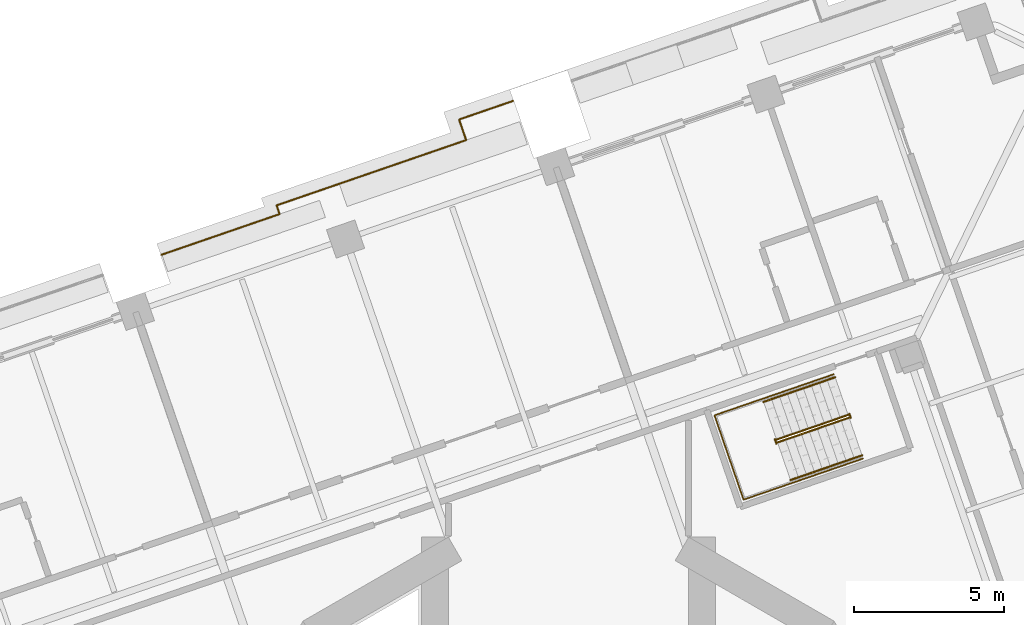
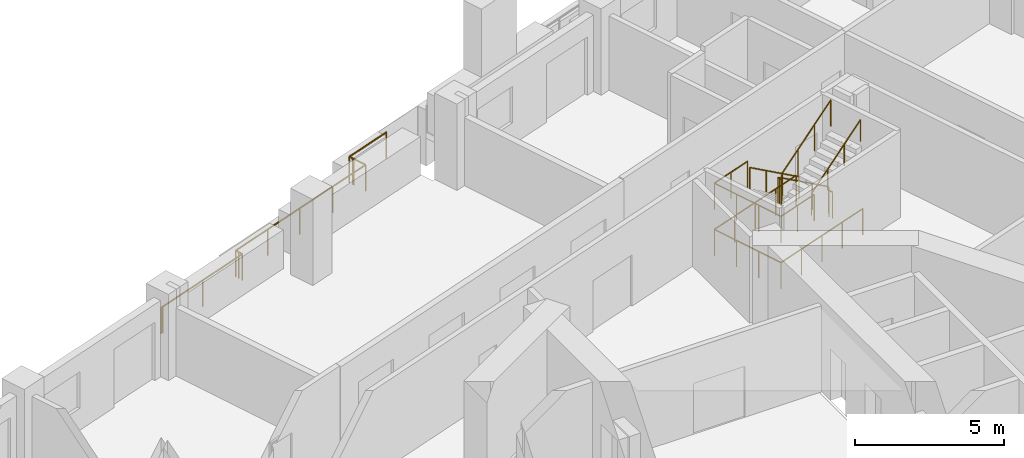
# One storey, part 16 of 18: 8 railings.
"""IFC4 building model written with IfcOpenShell, lengths in metres."""

from ifc_helpers import new_model, si_unit, direction, frame, origin, origin_2d, place, context, subcontext, project, spatial, circle, extrude, material, type_object, element, save


model = new_model("IFC4")

# Units and contexts
model_context = context("Model", 3, precision=1e-05, world=origin(), true_north=direction((0.0, 1.0)))
body_context = subcontext(model_context, "Body", "Model", "MODEL_VIEW")
ifc_project = project(units=[si_unit("LENGTHUNIT", "METRE"), si_unit("AREAUNIT", "SQUARE_METRE"), si_unit("VOLUMEUNIT", "CUBIC_METRE"), si_unit("PLANEANGLEUNIT", "RADIAN"), si_unit("MASSUNIT", "GRAM", prefix="KILO")], contexts=[model_context])

# Site, building, storey
site_placement = place(None, origin())
site = spatial("IfcSite", under=ifc_project, at=site_placement, CompositionType="ELEMENT")
building_placement = place(site_placement, origin())
building = spatial("IfcBuilding", under=site, at=building_placement, Name="Cantera Rosa Tower", CompositionType="ELEMENT")
storey_placement = place(building_placement, frame((0.0, 0.0, 134.5)))
storey = spatial("IfcBuildingStorey", under=building, at=storey_placement, Name="L28", CompositionType="ELEMENT", Elevation=134.5)

# Railings
ifc_material_1 = material(Name="Stainless steel and laminated glass", Category="steel")
railing_type_1 = type_object("IfcRailingType", Name="GUARD 1100", PredefinedType="BALUSTRADE", material=ifc_material_1)
railing_1_placement = place(storey_placement, frame((-13.55615234375, 21.032470703125, 0.0)))
element("IfcRailing", 1, at=railing_1_placement, inside=storey, type_object=railing_type_1, Name="GUARD L28-7", PredefinedType="BALUSTRADE", context=body_context, shape_type="SweptSolid", body=[
    extrude(circle(Radius=0.030029296875, at=origin_2d()), frame((0.0, 0.0, 1.070068359375), z_axis=(0.946220044844, 0.323523765333, 0.0), x_axis=(-0.323523765333, 0.946220044844, 0.0)), (0.0, 0.0, 1.0), 0.070068359375),
    extrude(circle(Radius=0.030029296875, at=origin_2d()), frame((0.06640625, 0.022705078125, 1.070068359375), z_axis=(0.945508665109, 0.325596935188, 0.0), x_axis=(-0.325596935188, 0.945508665109, 0.0)), (0.0, 0.0, 1.0), 4.089599609375),
    extrude(circle(Radius=0.030029296875, at=origin_2d()), frame((3.93310546875, 1.354248046875, 1.070068359375), z_axis=(0.923076923077, 0.384615384615, 0.0), x_axis=(-0.384615384615, 0.923076923077, 0.0)), (0.0, 0.0, 1.0), 0.003173828125),
    extrude(circle(Radius=0.030029296875, at=origin_2d()), frame((3.93603515625, 1.35546875, 1.070068359375), z_axis=(-0.274721127897, 0.961523947641, 0.0), x_axis=(-0.961523947641, -0.274721127897, 0.0)), (0.0, 0.0, 1.0), 0.003662109375),
    extrude(circle(Radius=0.030029296875, at=origin_2d()), frame((3.93505859375, 1.35888671875, 1.070068359375), z_axis=(-0.325302588557, 0.94560997556, 0.0), x_axis=(-0.94560997556, -0.325302588557, 0.0)), (0.0, 0.0, 1.0), 0.153076171875),
    extrude(circle(Radius=0.030029296875, at=origin_2d()), frame((3.88525390625, 1.503662109375, 1.070068359375), z_axis=(0.0, 1.0, 0.0), x_axis=(-1.0, 0.0, 0.0)), (0.0, 0.0, 1.0), 0.00048828125),
    extrude(circle(Radius=0.030029296875, at=origin_2d()), frame((3.88525390625, 1.504150390625, 1.070068359375), z_axis=(-0.326493735901, 0.945199365434, 0.0), x_axis=(-0.945199365434, -0.326493735901, 0.0)), (0.0, 0.0, 1.0), 0.149658203125),
    extrude(circle(Radius=0.030029296875, at=origin_2d()), frame((3.83642578125, 1.6455078125, 1.070068359375), z_axis=(0.945504782591, 0.325608209505, 0.0), x_axis=(-0.325608209505, 0.945504782591, 0.0)), (0.0, 0.0, 1.0), 3.30517578125),
    extrude(circle(Radius=0.030029296875, at=origin_2d()), frame((6.96142578125, 2.7216796875, 1.070068359375), z_axis=(0.945518555382, 0.325568213171, 0.0), x_axis=(-0.325568213171, 0.945518555382, 0.0)), (0.0, 0.0, 1.0), 3.3662109375),
    extrude(circle(Radius=0.030029296875, at=origin_2d()), frame((10.144287109375, 3.817626953125, 1.070068359375), z_axis=(0.933345606203, 0.358979079309, 0.0), x_axis=(-0.358979079309, 0.933345606203, 0.0)), (0.0, 0.0, 1.0), 0.00341796875),
    extrude(circle(Radius=0.030029296875, at=origin_2d()), frame((10.1474609375, 3.81884765625, 1.070068359375), z_axis=(-0.287347885566, 0.957826285221, 0.0), x_axis=(-0.957826285221, -0.287347885566, 0.0)), (0.0, 0.0, 1.0), 0.00244140625),
    extrude(circle(Radius=0.030029296875, at=origin_2d()), frame((10.146728515625, 3.8212890625, 1.070068359375), z_axis=(-0.325210728777, 0.945641571574, 0.0), x_axis=(-0.945641571574, -0.325210728777, 0.0)), (0.0, 0.0, 1.0), 0.52099609375),
    extrude(circle(Radius=0.030029296875, at=origin_2d()), frame((9.977294921875, 4.31396484375, 1.070068359375), z_axis=(-0.32907550163, 0.944303613372, 0.0), x_axis=(-0.944303613372, -0.32907550163, 0.0)), (0.0, 0.0, 1.0), 0.05126953125),
    extrude(circle(Radius=0.030029296875, at=origin_2d()), frame((9.96044921875, 4.3623046875, 1.070068359375), z_axis=(0.0, 1.0, 0.0), x_axis=(-1.0, 0.0, 0.0)), (0.0, 0.0, 1.0), 0.000244140625),
    extrude(circle(Radius=0.030029296875, at=origin_2d()), frame((9.96044921875, 4.362548828125, 1.070068359375), z_axis=(-0.325990683319, 0.945372981626, 0.0), x_axis=(-0.945372981626, -0.325990683319, 0.0)), (0.0, 0.0, 1.0), 0.14990234375),
    extrude(circle(Radius=0.030029296875, at=origin_2d()), frame((9.91162109375, 4.504150390625, 1.070068359375), z_axis=(0.945491592985, 0.325646507114, 0.0), x_axis=(-0.325646507114, 0.945491592985, 0.0)), (0.0, 0.0, 1.0), 1.902099609375),
    extrude(circle(Radius=0.02490234375, at=origin_2d()), origin(), (0.0, 0.0, 1.0), 1.0400390625),
    extrude(circle(Radius=0.02490234375, at=origin_2d()), frame((0.06640625, 0.022705078125, 0.0)), (0.0, 0.0, 1.0), 1.0400390625),
    extrude(circle(Radius=0.02490234375, at=origin_2d()), frame((1.999755859375, 0.6884765625, 0.0)), (0.0, 0.0, 1.0), 1.0400390625),
    extrude(circle(Radius=0.02490234375, at=origin_2d()), frame((3.93310546875, 1.354248046875, 0.0)), (0.0, 0.0, 1.0), 1.0400390625),
    extrude(circle(Radius=0.02490234375, at=origin_2d()), frame((3.93603515625, 1.35546875, 0.0)), (0.0, 0.0, 1.0), 1.0400390625),
    extrude(circle(Radius=0.02490234375, at=origin_2d()), frame((3.93505859375, 1.35888671875, 0.0)), (0.0, 0.0, 1.0), 1.0400390625),
    extrude(circle(Radius=0.02490234375, at=origin_2d()), frame((3.88525390625, 1.503662109375, 0.0)), (0.0, 0.0, 1.0), 1.0400390625),
    extrude(circle(Radius=0.02490234375, at=origin_2d()), frame((3.88525390625, 1.504150390625, 0.0)), (0.0, 0.0, 1.0), 1.0400390625),
    extrude(circle(Radius=0.02490234375, at=origin_2d()), frame((3.83642578125, 1.6455078125, 0.0)), (0.0, 0.0, 1.0), 1.0400390625),
    extrude(circle(Radius=0.02490234375, at=origin_2d()), frame((5.39892578125, 2.18359375, 0.0)), (0.0, 0.0, 1.0), 1.0400390625),
    extrude(circle(Radius=0.02490234375, at=origin_2d()), frame((6.96142578125, 2.7216796875, 0.0)), (0.0, 0.0, 1.0), 1.0400390625),
    extrude(circle(Radius=0.02490234375, at=origin_2d()), frame((8.552734375, 3.26953125, 0.0)), (0.0, 0.0, 1.0), 1.0400390625),
    extrude(circle(Radius=0.02490234375, at=origin_2d()), frame((10.144287109375, 3.817626953125, 0.0)), (0.0, 0.0, 1.0), 1.0400390625),
    extrude(circle(Radius=0.02490234375, at=origin_2d()), frame((10.1474609375, 3.81884765625, 0.0)), (0.0, 0.0, 1.0), 1.0400390625),
    extrude(circle(Radius=0.02490234375, at=origin_2d()), frame((10.146728515625, 3.8212890625, 0.0)), (0.0, 0.0, 1.0), 1.0400390625),
    extrude(circle(Radius=0.02490234375, at=origin_2d()), frame((9.977294921875, 4.31396484375, 0.0)), (0.0, 0.0, 1.0), 1.0400390625),
    extrude(circle(Radius=0.02490234375, at=origin_2d()), frame((9.96044921875, 4.3623046875, 0.0)), (0.0, 0.0, 1.0), 1.0400390625),
    extrude(circle(Radius=0.02490234375, at=origin_2d()), frame((9.96044921875, 4.362548828125, 0.0)), (0.0, 0.0, 1.0), 1.0400390625),
    extrude(circle(Radius=0.02490234375, at=origin_2d()), frame((9.91162109375, 4.504150390625, 0.0)), (0.0, 0.0, 1.0), 1.0400390625),
    extrude(circle(Radius=0.02490234375, at=origin_2d()), frame((11.7099609375, 5.12353515625, 0.0)), (0.0, 0.0, 1.0), 1.0400390625),
])
ifc_material_2 = material(Name="Steel S355J2 (EN 10025-2)", Category="steel")
railing_type_2 = type_object("IfcRailingType", Name="STAIR GUARD 1100", PredefinedType="GUARDRAIL", material=ifc_material_2)
railing_2_placement = place(storey_placement, frame((9.307861328125, 15.7021484375, 0.18994140625)))
element("IfcRailing", 2, at=railing_2_placement, inside=storey, type_object=railing_type_2, Name="L28 ST-21 stair guard 1", PredefinedType="GUARDRAIL", context=body_context, shape_type="SweptSolid", body=[
    extrude(circle(Radius=0.02392578125, at=origin_2d()), frame((0.0, 0.0, 1.076171875), z_axis=(-0.782404165978, -0.269432418223, 0.561471186323), x_axis=(0.325599548996, -0.94550776501, 0.0)), (0.0, 0.0, 1.0), 3.04541015625),
    extrude(circle(Radius=0.02392578125, at=origin_2d()), frame((-2.3828125, -0.820556640625, 2.7861328125), z_axis=(-0.989063265047, 0.147491890402, 0.0), x_axis=(-0.147491890402, -0.989063265047, 0.0)), (0.0, 0.0, 1.0), 0.056396484375),
    extrude(circle(Radius=0.02392578125, at=origin_2d()), frame((-2.4384765625, -0.812255859375, 2.7861328125), z_axis=(0.325990683319, -0.945372981626, 0.0), x_axis=(0.945372981626, 0.325990683319, 0.0)), (0.0, 0.0, 1.0), 0.14990234375),
    extrude(circle(Radius=0.02099609375, at=origin_2d()), origin(), (0.0, 0.0, 1.0), 1.052001953125),
    extrude(circle(Radius=0.02099609375, at=origin_2d()), frame((-0.794189453125, -0.2734375, 0.570068359375)), (0.0, 0.0, 1.0), 1.052001953125),
    extrude(circle(Radius=0.02099609375, at=origin_2d()), frame((-1.588623046875, -0.547119140625, 1.139892578125)), (0.0, 0.0, 1.0), 1.052001953125),
    extrude(circle(Radius=0.02099609375, at=origin_2d()), frame((-2.3828125, -0.820556640625, 1.7099609375)), (0.0, 0.0, 1.0), 1.052001953125),
    extrude(circle(Radius=0.02099609375, at=origin_2d()), frame((-2.4384765625, -0.812255859375, 1.7099609375)), (0.0, 0.0, 1.0), 1.052001953125),
    extrude(circle(Radius=0.02099609375, at=origin_2d()), frame((-2.3896484375, -0.953857421875, 1.7099609375)), (0.0, 0.0, 1.0), 1.052001953125),
])
railing_3_placement = place(storey_placement, frame((6.95703125, 14.7890625, 2.090087890625)))
element("IfcRailing", 3, at=railing_3_placement, inside=storey, type_object=railing_type_2, Name="L28 ST-21 stair guard 2", PredefinedType="GUARDRAIL", context=body_context, shape_type="SweptSolid", body=[
    extrude(circle(Radius=0.02392578125, at=origin_2d()), frame((0.0, 0.0, 1.076171875), z_axis=(0.782389970342, 0.269374966733, 0.561518531845), x_axis=(-0.325542759796, 0.945527319301, 0.0)), (0.0, 0.0, 1.0), 3.045166015625),
    extrude(circle(Radius=0.02099609375, at=origin_2d()), origin(), (0.0, 0.0, 1.0), 1.052001953125),
    extrude(circle(Radius=0.02099609375, at=origin_2d()), frame((0.794189453125, 0.2734375, 0.570068359375)), (0.0, 0.0, 1.0), 1.052001953125),
    extrude(circle(Radius=0.02099609375, at=origin_2d()), frame((1.58837890625, 0.546875, 1.139892578125)), (0.0, 0.0, 1.0), 1.052001953125),
    extrude(circle(Radius=0.02099609375, at=origin_2d()), frame((2.382568359375, 0.8203125, 1.7099609375)), (0.0, 0.0, 1.0), 1.052001953125),
])
railing_4_placement = place(storey_placement, frame((9.3466796875, 15.742919921875, 0.0)))
element("IfcRailing", 4, at=railing_4_placement, inside=storey, type_object=railing_type_2, Name="L28 ST-21 stair guard 3", PredefinedType="GUARDRAIL", context=body_context, shape_type="SweptSolid", body=[
    extrude(circle(Radius=0.02392578125, at=origin_2d()), frame((0.0, 0.0, 1.076171875), z_axis=(0.325489086777, -0.945545797087, 0.0), x_axis=(0.945545797087, 0.325489086777, 0.0)), (0.0, 0.0, 1.0), 0.14990234375),
    extrude(circle(Radius=0.02099609375, at=origin_2d()), origin(), (0.0, 0.0, 1.0), 1.052001953125),
    extrude(circle(Radius=0.02099609375, at=origin_2d()), frame((0.048828125, -0.141845703125, 0.0)), (0.0, 0.0, 1.0), 1.052001953125),
])
railing_5_placement = place(storey_placement, frame((8.828857421875, 17.055908203125, 0.0)))
element("IfcRailing", 5, at=railing_5_placement, inside=storey, type_object=railing_type_2, Name="L28 ST-21 stair guard 4", PredefinedType="GUARDRAIL", context=body_context, shape_type="SweptSolid", body=[
    extrude(circle(Radius=0.02392578125, at=origin_2d()), frame((0.0, 0.0, 1.076171875), z_axis=(-0.945519978022, -0.325564081496, 0.0), x_axis=(0.325564081496, -0.945519978022, 0.0)), (0.0, 0.0, 1.0), 4.197998046875),
    extrude(circle(Radius=0.02392578125, at=origin_2d()), frame((-3.96923828125, -1.36669921875, 1.076171875), z_axis=(0.325608117645, -0.945504814226, 0.0), x_axis=(0.945504814226, 0.325608117645, 0.0)), (0.0, 0.0, 1.0), 2.969970703125),
    extrude(circle(Radius=0.02392578125, at=origin_2d()), frame((-3.002197265625, -4.1748046875, 1.076171875), z_axis=(0.945519978022, 0.325564081496, 0.0), x_axis=(-0.325564081496, 0.945519978022, 0.0)), (0.0, 0.0, 1.0), 4.197998046875),
    extrude(circle(Radius=0.02099609375, at=origin_2d()), origin(), (0.0, 0.0, 1.0), 1.052001953125),
    extrude(circle(Radius=0.02099609375, at=origin_2d()), frame((-0.9921875, -0.341796875, 0.0)), (0.0, 0.0, 1.0), 1.052001953125),
    extrude(circle(Radius=0.02099609375, at=origin_2d()), frame((-1.984619140625, -0.683349609375, 0.0)), (0.0, 0.0, 1.0), 1.052001953125),
    extrude(circle(Radius=0.02099609375, at=origin_2d()), frame((-2.97705078125, -1.02490234375, 0.0)), (0.0, 0.0, 1.0), 1.052001953125),
    extrude(circle(Radius=0.02099609375, at=origin_2d()), frame((-3.96923828125, -1.36669921875, 0.0)), (0.0, 0.0, 1.0), 1.052001953125),
    extrude(circle(Radius=0.02099609375, at=origin_2d()), frame((-3.64697265625, -2.302734375, 0.0)), (0.0, 0.0, 1.0), 1.052001953125),
    extrude(circle(Radius=0.02099609375, at=origin_2d()), frame((-3.324462890625, -3.23876953125, 0.0)), (0.0, 0.0, 1.0), 1.052001953125),
    extrude(circle(Radius=0.02099609375, at=origin_2d()), frame((-3.002197265625, -4.1748046875, 0.0)), (0.0, 0.0, 1.0), 1.052001953125),
    extrude(circle(Radius=0.02099609375, at=origin_2d()), frame((-2.009765625, -3.8330078125, 0.0)), (0.0, 0.0, 1.0), 1.052001953125),
    extrude(circle(Radius=0.02099609375, at=origin_2d()), frame((-1.017578125, -3.491455078125, 0.0)), (0.0, 0.0, 1.0), 1.052001953125),
    extrude(circle(Radius=0.02099609375, at=origin_2d()), frame((-0.025390625, -3.14990234375, 0.0)), (0.0, 0.0, 1.0), 1.052001953125),
    extrude(circle(Radius=0.02099609375, at=origin_2d()), frame((0.967041015625, -2.80810546875, 0.0)), (0.0, 0.0, 1.0), 1.052001953125),
])
railing_6_placement = place(storey_placement, frame((6.468994140625, 16.243408203125, 1.89990234375)))
element("IfcRailing", 6, at=railing_6_placement, inside=storey, type_object=railing_type_2, Name="L28 ST-21 stair guard 5", PredefinedType="GUARDRAIL", context=body_context, shape_type="SweptSolid", body=[
    extrude(circle(Radius=0.02392578125, at=origin_2d()), frame((0.0, 0.0, 1.076171875), z_axis=(-0.94551008141, -0.32559282233, 0.0), x_axis=(0.32559282233, -0.94551008141, 0.0)), (0.0, 0.0, 1.0), 1.7021484375),
    extrude(circle(Radius=0.02392578125, at=origin_2d()), frame((-1.609375, -0.55419921875, 1.076171875), z_axis=(0.325608117645, -0.945504814226, 0.0), x_axis=(0.945504814226, 0.325608117645, 0.0)), (0.0, 0.0, 1.0), 2.969970703125),
    extrude(circle(Radius=0.02392578125, at=origin_2d()), frame((-0.642333984375, -3.3623046875, 1.076171875), z_axis=(0.945539033546, 0.325508734201, 0.0), x_axis=(-0.325508734201, 0.945539033546, 0.0)), (0.0, 0.0, 1.0), 1.701904296875),
    extrude(circle(Radius=0.02099609375, at=origin_2d()), origin(), (0.0, 0.0, 1.0), 1.052001953125),
    extrude(circle(Radius=0.02099609375, at=origin_2d()), frame((-0.8046875, -0.277099609375, 0.0)), (0.0, 0.0, 1.0), 1.052001953125),
    extrude(circle(Radius=0.02099609375, at=origin_2d()), frame((-1.609375, -0.55419921875, 0.0)), (0.0, 0.0, 1.0), 1.052001953125),
    extrude(circle(Radius=0.02099609375, at=origin_2d()), frame((-1.287109375, -1.490234375, 0.0)), (0.0, 0.0, 1.0), 1.052001953125),
    extrude(circle(Radius=0.02099609375, at=origin_2d()), frame((-0.964599609375, -2.42626953125, 0.0)), (0.0, 0.0, 1.0), 1.052001953125),
    extrude(circle(Radius=0.02099609375, at=origin_2d()), frame((-0.642333984375, -3.3623046875, 0.0)), (0.0, 0.0, 1.0), 1.052001953125),
    extrude(circle(Radius=0.02099609375, at=origin_2d()), frame((0.162109375, -3.08544921875, 0.0)), (0.0, 0.0, 1.0), 1.052001953125),
    extrude(circle(Radius=0.02099609375, at=origin_2d()), frame((0.966796875, -2.808349609375, 0.0)), (0.0, 0.0, 1.0), 1.052001953125),
])
ifc_material_3 = material(Name="Steel S355J2 (EN 10025-2)", Category="steel")
railing_type_3 = type_object("IfcRailingType", Name="STAIR HANDRAIL 900", PredefinedType="HANDRAIL", material=ifc_material_3)
railing_7_placement = place(storey_placement, frame((8.8759765625, 16.955810546875, 0.18994140625)))
element("IfcRailing", 7, at=railing_7_placement, inside=storey, type_object=railing_type_3, Name="L28 ST-21 stair handrail 1", PredefinedType="HANDRAIL", context=body_context, shape_type="SweptSolid", body=[
    extrude(circle(Radius=0.02392578125, at=origin_2d()), frame((0.0, 0.0, 0.8759765625), z_axis=(-0.782389970342, -0.269374966733, 0.561518531845), x_axis=(0.325542759796, -0.945527319301, 0.0)), (0.0, 0.0, 1.0), 3.045166015625),
    extrude(circle(Radius=0.02099609375, at=origin_2d()), origin(), (0.0, 0.0, 1.0), 0.851806640625),
    extrude(circle(Radius=0.02099609375, at=origin_2d()), frame((-0.794189453125, -0.2734375, 0.570068359375)), (0.0, 0.0, 1.0), 0.851806640625),
    extrude(circle(Radius=0.02099609375, at=origin_2d()), frame((-1.58837890625, -0.546875, 1.139892578125)), (0.0, 0.0, 1.0), 0.851806640625),
    extrude(circle(Radius=0.02099609375, at=origin_2d()), frame((-2.382568359375, -0.8203125, 1.7099609375)), (0.0, 0.0, 1.0), 0.851806640625),
])
railing_8_placement = place(storey_placement, frame((7.388671875, 13.53515625, 2.090087890625)))
element("IfcRailing", 8, at=railing_8_placement, inside=storey, type_object=railing_type_3, Name="L28 ST-21 stair handrail 2", PredefinedType="HANDRAIL", context=body_context, shape_type="SweptSolid", body=[
    extrude(circle(Radius=0.02392578125, at=origin_2d()), frame((0.0, 0.0, 0.8759765625), z_axis=(0.782404165978, 0.269432418223, 0.561471186323), x_axis=(-0.325599548996, 0.94550776501, 0.0)), (0.0, 0.0, 1.0), 3.04541015625),
    extrude(circle(Radius=0.02099609375, at=origin_2d()), origin(), (0.0, 0.0, 1.0), 0.851806640625),
    extrude(circle(Radius=0.02099609375, at=origin_2d()), frame((0.794189453125, 0.2734375, 0.570068359375)), (0.0, 0.0, 1.0), 0.851806640625),
    extrude(circle(Radius=0.02099609375, at=origin_2d()), frame((1.588623046875, 0.547119140625, 1.139892578125)), (0.0, 0.0, 1.0), 0.851806640625),
    extrude(circle(Radius=0.02099609375, at=origin_2d()), frame((2.3828125, 0.820556640625, 1.7099609375)), (0.0, 0.0, 1.0), 0.851806640625),
])

save(model, "model.ifc")
